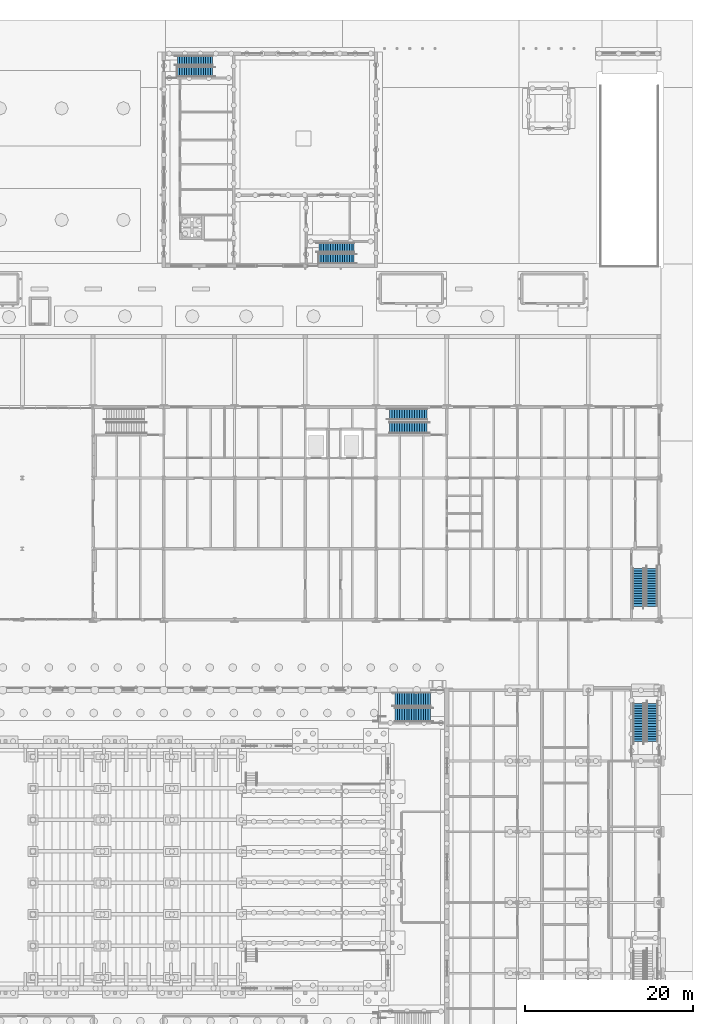
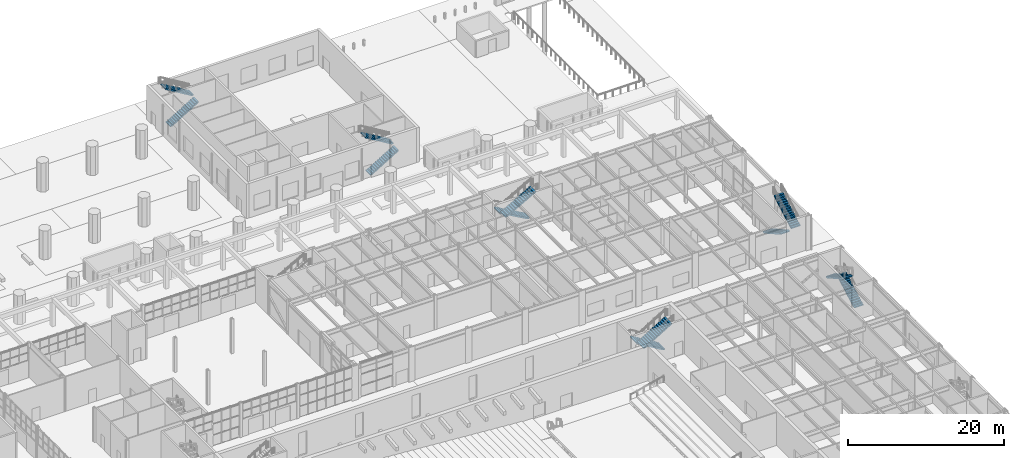
# One storey, part 80 of 127: 12 stair flights, 6 elements without a shape of their own.
"""IFC4 building model written with IfcOpenShell, lengths in metres."""

from ifc_helpers import new_model, si_unit, direction, frame, origin, place, context, subcontext, project, spatial, polyline, outline, extrude, material, type_object, element, aggregate, save


model = new_model("IFC4")

# Units and contexts
model_context = context("Model", 3, precision=1e-05, world=origin(), true_north=direction((0.0, 1.0)))
body_context = subcontext(model_context, "Body", "Model", "MODEL_VIEW")
ifc_project = project(units=[si_unit("LENGTHUNIT", "METRE"), si_unit("AREAUNIT", "SQUARE_METRE"), si_unit("VOLUMEUNIT", "CUBIC_METRE"), si_unit("PLANEANGLEUNIT", "RADIAN"), si_unit("MASSUNIT", "GRAM", prefix="KILO")], contexts=[model_context])

# Site, building, storey
site_placement = place(None, origin())
site = spatial("IfcSite", under=ifc_project, at=site_placement, CompositionType="ELEMENT")
building_placement = place(site_placement, origin())
building = spatial("IfcBuilding", under=site, at=building_placement, Name="Ljudholm Concert House", CompositionType="ELEMENT")
storey_placement = place(building_placement, origin())
storey = spatial("IfcBuildingStorey", under=building, at=storey_placement, Name="L00", CompositionType="ELEMENT", Elevation=0.0)

# Stair, stair flights
ifc_material_1 = material(Name="Concrete 5,000 psi", Category="concrete")
stair_type_1 = type_object("IfcStairType", Name="RC STAIR 1200x169x280", PredefinedType="HALF_TURN_STAIR", material=ifc_material_1)
stair_1_placement = place(storey_placement, origin())
stair_1 = element("IfcStair", 1, at=stair_1_placement, inside=storey, type_object=stair_type_1, Name="Exit stair S1", PredefinedType="HALF_TURN_STAIR")
ifc_material_2 = material(Name="Concrete 5,000 psi", Category="concrete")
stair_flight_type_1 = type_object("IfcStairFlightType", Name="RC STAIR FLIGHT 1200x169x280", PredefinedType="STRAIGHT", material=ifc_material_2)
stair_flight_1_placement = place(storey_placement, frame((64.39990234375, 169.85009765625, 0.0), z_axis=(0.0, 0.0, 1.0), x_axis=(1.0, 0.0, 0.0)))
stair_flight_1 = element("IfcStairFlight", 2, at=stair_flight_1_placement, type_object=stair_flight_type_1, Name="ST-E00-001 flight 1", NumberOfRisers=16, NumberOfTreads=15, PredefinedType="STRAIGHT", RiserHeight=0.16875, TreadLength=0.28, context=body_context, shape_type="SweptSolid", body=[
    extrude(outline(polyline([(0.0, 0.0), (0.0, 0.168701171875), (0.280029296875, 0.168701171875), (0.280029296875, 0.33740234375), (0.56005859375, 0.33740234375), (0.56005859375, 0.50634765625), (0.840087890625, 0.50634765625), (0.840087890625, 0.675048828125), (1.1201171875, 0.675048828125), (1.1201171875, 0.84375), (1.39990234375, 0.84375), (1.39990234375, 1.012451171875), (1.679931640625, 1.012451171875), (1.679931640625, 1.18115234375), (1.9599609375, 1.18115234375), (1.9599609375, 1.35009765625), (2.239990234375, 1.35009765625), (2.239990234375, 1.518798828125), (2.52001953125, 1.518798828125), (2.52001953125, 1.6875), (2.800048828125, 1.6875), (2.800048828125, 1.856201171875), (3.080078125, 1.856201171875), (3.080078125, 2.02490234375), (3.360107421875, 2.02490234375), (3.360107421875, 2.19384765625), (3.639892578125, 2.19384765625), (3.639892578125, 2.362548828125), (3.919921875, 2.362548828125), (3.919921875, 2.53125), (4.199951171875, 2.53125), (4.199951171875, 2.699951171875), (4.199951171875, 2.356201171875), (0.29052734375, 0.0), (0.0, 0.0)])), frame((0.0, 0.60009765625, 0.0), z_axis=(0.0, -1.0, 0.0), x_axis=(1.0, 0.0, 0.0)), (0.0, 0.0, 1.0), 1.199951171875),
])
stair_flight_2_placement = place(storey_placement, frame((68.60009765625, 171.14990234375, 2.699951171875), z_axis=(0.0, 0.0, 1.0), x_axis=(-1.0, 0.0, 0.0)))
stair_flight_2 = element("IfcStairFlight", 3, at=stair_flight_2_placement, type_object=stair_flight_type_1, Name="ST-E00-001 flight 2", NumberOfRisers=16, NumberOfTreads=15, PredefinedType="STRAIGHT", RiserHeight=0.16875, TreadLength=0.28, context=body_context, shape_type="SweptSolid", body=[
    extrude(outline(polyline([(0.0, 0.0), (0.0, 0.168701171875), (0.280029296875, 0.168701171875), (0.280029296875, 0.33740234375), (0.56005859375, 0.33740234375), (0.56005859375, 0.50634765625), (0.840087890625, 0.50634765625), (0.840087890625, 0.675048828125), (1.1201171875, 0.675048828125), (1.1201171875, 0.84375), (1.39990234375, 0.84375), (1.39990234375, 1.012451171875), (1.679931640625, 1.012451171875), (1.679931640625, 1.18115234375), (1.9599609375, 1.18115234375), (1.9599609375, 1.35009765625), (2.239990234375, 1.35009765625), (2.239990234375, 1.518798828125), (2.52001953125, 1.518798828125), (2.52001953125, 1.6875), (2.800048828125, 1.6875), (2.800048828125, 1.856201171875), (3.080078125, 1.856201171875), (3.080078125, 2.02490234375), (3.360107421875, 2.02490234375), (3.360107421875, 2.19384765625), (3.639892578125, 2.19384765625), (3.639892578125, 2.362548828125), (3.919921875, 2.362548828125), (3.919921875, 2.53125), (4.199951171875, 2.53125), (4.199951171875, 2.699951171875), (4.199951171875, 2.356201171875), (0.29052734375, 0.0), (0.0, 0.0)])), frame((0.0, 0.60009765625, 0.0), z_axis=(0.0, -1.0, 0.0), x_axis=(1.0, 0.0, 0.0)), (0.0, 0.0, 1.0), 1.199951171875),
])
aggregate(stair_1, [stair_flight_1, stair_flight_2])

stair_2_placement = place(storey_placement, origin())
stair_2 = element("IfcStair", 4, at=stair_2_placement, inside=storey, type_object=stair_type_1, Name="Exit stair S2", PredefinedType="HALF_TURN_STAIR")
stair_flight_3_placement = place(storey_placement, frame((81.199951171875, 147.64990234375, 0.0), z_axis=(0.0, 0.0, 1.0), x_axis=(1.0, 0.0, 0.0)))
stair_flight_3 = element("IfcStairFlight", 5, at=stair_flight_3_placement, type_object=stair_flight_type_1, Name="ST-E00-002 flight 1", NumberOfRisers=16, NumberOfTreads=15, PredefinedType="STRAIGHT", RiserHeight=0.16875, TreadLength=0.28, context=body_context, shape_type="SweptSolid", body=[
    extrude(outline(polyline([(0.0, 0.0), (0.0, 0.168701171875), (0.280029296875, 0.168701171875), (0.280029296875, 0.33740234375), (0.56005859375, 0.33740234375), (0.56005859375, 0.50634765625), (0.840087890625, 0.50634765625), (0.840087890625, 0.675048828125), (1.1201171875, 0.675048828125), (1.1201171875, 0.84375), (1.39990234375, 0.84375), (1.39990234375, 1.012451171875), (1.679931640625, 1.012451171875), (1.679931640625, 1.18115234375), (1.9599609375, 1.18115234375), (1.9599609375, 1.35009765625), (2.239990234375, 1.35009765625), (2.239990234375, 1.518798828125), (2.52001953125, 1.518798828125), (2.52001953125, 1.6875), (2.800048828125, 1.6875), (2.800048828125, 1.856201171875), (3.080078125, 1.856201171875), (3.080078125, 2.02490234375), (3.360107421875, 2.02490234375), (3.360107421875, 2.19384765625), (3.639892578125, 2.19384765625), (3.639892578125, 2.362548828125), (3.919921875, 2.362548828125), (3.919921875, 2.53125), (4.199951171875, 2.53125), (4.199951171875, 2.699951171875), (4.199951171875, 2.356201171875), (0.29052734375, 0.0), (0.0, 0.0)])), frame((0.0, 0.60009765625, 0.0), z_axis=(0.0, -1.0, 0.0), x_axis=(1.0, 0.0, 0.0)), (0.0, 0.0, 1.0), 1.199951171875),
])
stair_flight_4_placement = place(storey_placement, frame((85.39990234375, 148.949951171875, 2.699951171875), z_axis=(0.0, 0.0, 1.0), x_axis=(-1.0, 0.0, 0.0)))
stair_flight_4 = element("IfcStairFlight", 6, at=stair_flight_4_placement, type_object=stair_flight_type_1, Name="ST-E00-002 flight 2", NumberOfRisers=16, NumberOfTreads=15, PredefinedType="STRAIGHT", RiserHeight=0.16875, TreadLength=0.28, context=body_context, shape_type="SweptSolid", body=[
    extrude(outline(polyline([(0.0, 0.0), (0.0, 0.168701171875), (0.280029296875, 0.168701171875), (0.280029296875, 0.33740234375), (0.56005859375, 0.33740234375), (0.56005859375, 0.50634765625), (0.840087890625, 0.50634765625), (0.840087890625, 0.675048828125), (1.1201171875, 0.675048828125), (1.1201171875, 0.84375), (1.39990234375, 0.84375), (1.39990234375, 1.012451171875), (1.679931640625, 1.012451171875), (1.679931640625, 1.18115234375), (1.9599609375, 1.18115234375), (1.9599609375, 1.35009765625), (2.239990234375, 1.35009765625), (2.239990234375, 1.518798828125), (2.52001953125, 1.518798828125), (2.52001953125, 1.6875), (2.800048828125, 1.6875), (2.800048828125, 1.856201171875), (3.080078125, 1.856201171875), (3.080078125, 2.02490234375), (3.360107421875, 2.02490234375), (3.360107421875, 2.19384765625), (3.639892578125, 2.19384765625), (3.639892578125, 2.362548828125), (3.919921875, 2.362548828125), (3.919921875, 2.53125), (4.199951171875, 2.53125), (4.199951171875, 2.699951171875), (4.199951171875, 2.356201171875), (0.29052734375, 0.0), (0.0, 0.0)])), frame((0.0, 0.60009765625, 0.0), z_axis=(0.0, -1.0, 0.0), x_axis=(1.0, 0.0, 0.0)), (0.0, 0.0, 1.0), 1.199951171875),
])
aggregate(stair_2, [stair_flight_3, stair_flight_4])

ifc_material_3 = material(Name="Concrete 5,000 psi", Category="concrete")
stair_type_2 = type_object("IfcStairType", Name="RC STAIR 1350x169x300", PredefinedType="HALF_TURN_STAIR", material=ifc_material_3)
stair_3_placement = place(storey_placement, origin())
stair_3 = element("IfcStair", 7, at=stair_3_placement, inside=storey, type_object=stair_type_2, Name="Stair SB4", PredefinedType="HALF_TURN_STAIR")
ifc_material_4 = material(Name="Concrete 5,000 psi", Category="concrete")
stair_flight_type_2 = type_object("IfcStairFlightType", Name="RC STAIR FLIGHT 1350x169x300", PredefinedType="STRAIGHT", material=ifc_material_4)
stair_flight_5_placement = place(storey_placement, frame((120.77490234375, 90.324951171875, 0.0), z_axis=(0.0, 0.0, 1.0), x_axis=(0.0, 1.0, 0.0)))
stair_flight_5 = element("IfcStairFlight", 8, at=stair_flight_5_placement, type_object=stair_flight_type_2, Name="ST-W00-004 flight 1", NumberOfRisers=16, NumberOfTreads=15, PredefinedType="STRAIGHT", RiserHeight=0.16875, TreadLength=0.3, context=body_context, shape_type="SweptSolid", body=[
    extrude(outline(polyline([(0.0, 0.0), (0.0, 0.168701171875), (0.300048828125, 0.168701171875), (0.300048828125, 0.33740234375), (0.60009765625, 0.33740234375), (0.60009765625, 0.50634765625), (0.89990234375, 0.50634765625), (0.89990234375, 0.675048828125), (1.199951171875, 0.675048828125), (1.199951171875, 0.84375), (1.5, 0.84375), (1.5, 1.012451171875), (1.800048828125, 1.012451171875), (1.800048828125, 1.18115234375), (2.10009765625, 1.18115234375), (2.10009765625, 1.35009765625), (2.39990234375, 1.35009765625), (2.39990234375, 1.518798828125), (2.699951171875, 1.518798828125), (2.699951171875, 1.6875), (3.0, 1.6875), (3.0, 1.856201171875), (3.300048828125, 1.856201171875), (3.300048828125, 2.02490234375), (3.60009765625, 2.02490234375), (3.60009765625, 2.19384765625), (3.89990234375, 2.19384765625), (3.89990234375, 2.362548828125), (4.199951171875, 2.362548828125), (4.199951171875, 2.53125), (4.5, 2.53125), (4.5, 2.699951171875), (4.5, 2.359375), (0.3056640625, 0.0), (0.0, 0.0)])), frame((0.0, 0.675048828125, 0.0), z_axis=(0.0, -1.0, 0.0), x_axis=(1.0, 0.0, 0.0)), (0.0, 0.0, 1.0), 1.35009765625),
])
stair_flight_6_placement = place(storey_placement, frame((119.175048828125, 94.824951171875, 2.699951171875), z_axis=(0.0, 0.0, 1.0), x_axis=(0.0, -1.0, 0.0)))
stair_flight_6 = element("IfcStairFlight", 9, at=stair_flight_6_placement, type_object=stair_flight_type_2, Name="ST-W00-004 flight 2", NumberOfRisers=16, NumberOfTreads=15, PredefinedType="STRAIGHT", RiserHeight=0.16875, TreadLength=0.3, context=body_context, shape_type="SweptSolid", body=[
    extrude(outline(polyline([(0.0, 0.0), (0.0, 0.168701171875), (0.300048828125, 0.168701171875), (0.300048828125, 0.33740234375), (0.60009765625, 0.33740234375), (0.60009765625, 0.50634765625), (0.89990234375, 0.50634765625), (0.89990234375, 0.675048828125), (1.199951171875, 0.675048828125), (1.199951171875, 0.84375), (1.5, 0.84375), (1.5, 1.012451171875), (1.800048828125, 1.012451171875), (1.800048828125, 1.18115234375), (2.10009765625, 1.18115234375), (2.10009765625, 1.35009765625), (2.39990234375, 1.35009765625), (2.39990234375, 1.518798828125), (2.699951171875, 1.518798828125), (2.699951171875, 1.6875), (3.0, 1.6875), (3.0, 1.856201171875), (3.300048828125, 1.856201171875), (3.300048828125, 2.02490234375), (3.60009765625, 2.02490234375), (3.60009765625, 2.19384765625), (3.89990234375, 2.19384765625), (3.89990234375, 2.362548828125), (4.199951171875, 2.362548828125), (4.199951171875, 2.53125), (4.5, 2.53125), (4.5, 2.699951171875), (4.5, 2.359375), (0.3056640625, 0.0), (0.0, 0.0)])), frame((0.0, 0.675048828125, 0.0), z_axis=(0.0, -1.0, 0.0), x_axis=(1.0, 0.0, 0.0)), (0.0, 0.0, 1.0), 1.35009765625),
])
aggregate(stair_3, [stair_flight_5, stair_flight_6])

stair_4_placement = place(storey_placement, origin())
stair_4 = element("IfcStair", 10, at=stair_4_placement, inside=storey, type_object=stair_type_2, Name="Stair R2", PredefinedType="HALF_TURN_STAIR")
stair_flight_7_placement = place(storey_placement, frame((94.074951171875, 129.175048828125, 0.0), z_axis=(0.0, 0.0, 1.0), x_axis=(-1.0, 0.0, 0.0)))
stair_flight_7 = element("IfcStairFlight", 11, at=stair_flight_7_placement, type_object=stair_flight_type_2, Name="ST-R00-002 flight 1", NumberOfRisers=16, NumberOfTreads=15, PredefinedType="STRAIGHT", RiserHeight=0.16875, TreadLength=0.3, context=body_context, shape_type="SweptSolid", body=[
    extrude(outline(polyline([(0.0, 0.0), (0.0, 0.168701171875), (0.300048828125, 0.168701171875), (0.300048828125, 0.33740234375), (0.60009765625, 0.33740234375), (0.60009765625, 0.50634765625), (0.89990234375, 0.50634765625), (0.89990234375, 0.675048828125), (1.199951171875, 0.675048828125), (1.199951171875, 0.84375), (1.5, 0.84375), (1.5, 1.012451171875), (1.800048828125, 1.012451171875), (1.800048828125, 1.18115234375), (2.10009765625, 1.18115234375), (2.10009765625, 1.35009765625), (2.39990234375, 1.35009765625), (2.39990234375, 1.518798828125), (2.699951171875, 1.518798828125), (2.699951171875, 1.6875), (3.0, 1.6875), (3.0, 1.856201171875), (3.300048828125, 1.856201171875), (3.300048828125, 2.02490234375), (3.60009765625, 2.02490234375), (3.60009765625, 2.19384765625), (3.89990234375, 2.19384765625), (3.89990234375, 2.362548828125), (4.199951171875, 2.362548828125), (4.199951171875, 2.53125), (4.5, 2.53125), (4.5, 2.699951171875), (4.5, 2.359375), (0.3056640625, 0.0), (0.0, 0.0)])), frame((0.0, 0.675048828125, 0.0), z_axis=(0.0, -1.0, 0.0), x_axis=(1.0, 0.0, 0.0)), (0.0, 0.0, 1.0), 1.35009765625),
])
stair_flight_8_placement = place(storey_placement, frame((89.574951171875, 127.574951171875, 2.699951171875), z_axis=(0.0, 0.0, 1.0), x_axis=(1.0, 0.0, 0.0)))
stair_flight_8 = element("IfcStairFlight", 12, at=stair_flight_8_placement, type_object=stair_flight_type_2, Name="ST-R00-002 flight 2", NumberOfRisers=16, NumberOfTreads=15, PredefinedType="STRAIGHT", RiserHeight=0.16875, TreadLength=0.3, context=body_context, shape_type="SweptSolid", body=[
    extrude(outline(polyline([(0.0, 0.0), (0.0, 0.168701171875), (0.300048828125, 0.168701171875), (0.300048828125, 0.33740234375), (0.60009765625, 0.33740234375), (0.60009765625, 0.50634765625), (0.89990234375, 0.50634765625), (0.89990234375, 0.675048828125), (1.199951171875, 0.675048828125), (1.199951171875, 0.84375), (1.5, 0.84375), (1.5, 1.012451171875), (1.800048828125, 1.012451171875), (1.800048828125, 1.18115234375), (2.10009765625, 1.18115234375), (2.10009765625, 1.35009765625), (2.39990234375, 1.35009765625), (2.39990234375, 1.518798828125), (2.699951171875, 1.518798828125), (2.699951171875, 1.6875), (3.0, 1.6875), (3.0, 1.856201171875), (3.300048828125, 1.856201171875), (3.300048828125, 2.02490234375), (3.60009765625, 2.02490234375), (3.60009765625, 2.19384765625), (3.89990234375, 2.19384765625), (3.89990234375, 2.362548828125), (4.199951171875, 2.362548828125), (4.199951171875, 2.53125), (4.5, 2.53125), (4.5, 2.699951171875), (4.5, 2.359375), (0.3056640625, 0.0), (0.0, 0.0)])), frame((0.0, 0.675048828125, 0.0), z_axis=(0.0, -1.0, 0.0), x_axis=(1.0, 0.0, 0.0)), (0.0, 0.0, 1.0), 1.35009765625),
])
aggregate(stair_4, [stair_flight_7, stair_flight_8])

stair_5_placement = place(storey_placement, origin())
stair_5 = element("IfcStair", 13, at=stair_5_placement, inside=storey, type_object=stair_type_2, Name="Stair R3", PredefinedType="HALF_TURN_STAIR")
stair_flight_9_placement = place(storey_placement, frame((119.125, 110.875, 0.0), z_axis=(0.0, 0.0, 1.0), x_axis=(0.0, -1.0, 0.0)))
stair_flight_9 = element("IfcStairFlight", 14, at=stair_flight_9_placement, type_object=stair_flight_type_2, Name="ST-R00-003 flight 1", NumberOfRisers=16, NumberOfTreads=15, PredefinedType="STRAIGHT", RiserHeight=0.16875, TreadLength=0.3, context=body_context, shape_type="SweptSolid", body=[
    extrude(outline(polyline([(0.0, 0.0), (0.0, 0.168701171875), (0.300048828125, 0.168701171875), (0.300048828125, 0.33740234375), (0.60009765625, 0.33740234375), (0.60009765625, 0.50634765625), (0.89990234375, 0.50634765625), (0.89990234375, 0.675048828125), (1.199951171875, 0.675048828125), (1.199951171875, 0.84375), (1.5, 0.84375), (1.5, 1.012451171875), (1.800048828125, 1.012451171875), (1.800048828125, 1.18115234375), (2.10009765625, 1.18115234375), (2.10009765625, 1.35009765625), (2.39990234375, 1.35009765625), (2.39990234375, 1.518798828125), (2.699951171875, 1.518798828125), (2.699951171875, 1.6875), (3.0, 1.6875), (3.0, 1.856201171875), (3.300048828125, 1.856201171875), (3.300048828125, 2.02490234375), (3.60009765625, 2.02490234375), (3.60009765625, 2.19384765625), (3.89990234375, 2.19384765625), (3.89990234375, 2.362548828125), (4.199951171875, 2.362548828125), (4.199951171875, 2.53125), (4.5, 2.53125), (4.5, 2.699951171875), (4.5, 2.359375), (0.3056640625, 0.0), (0.0, 0.0)])), frame((0.0, 0.675048828125, 0.0), z_axis=(0.0, -1.0, 0.0), x_axis=(1.0, 0.0, 0.0)), (0.0, 0.0, 1.0), 1.35009765625),
])
stair_flight_10_placement = place(storey_placement, frame((120.72509765625, 106.375, 2.699951171875), z_axis=(0.0, 0.0, 1.0), x_axis=(0.0, 1.0, 0.0)))
stair_flight_10 = element("IfcStairFlight", 15, at=stair_flight_10_placement, type_object=stair_flight_type_2, Name="ST-R00-003 flight 2", NumberOfRisers=16, NumberOfTreads=15, PredefinedType="STRAIGHT", RiserHeight=0.16875, TreadLength=0.3, context=body_context, shape_type="SweptSolid", body=[
    extrude(outline(polyline([(0.0, 0.0), (0.0, 0.168701171875), (0.300048828125, 0.168701171875), (0.300048828125, 0.33740234375), (0.60009765625, 0.33740234375), (0.60009765625, 0.50634765625), (0.89990234375, 0.50634765625), (0.89990234375, 0.675048828125), (1.199951171875, 0.675048828125), (1.199951171875, 0.84375), (1.5, 0.84375), (1.5, 1.012451171875), (1.800048828125, 1.012451171875), (1.800048828125, 1.18115234375), (2.10009765625, 1.18115234375), (2.10009765625, 1.35009765625), (2.39990234375, 1.35009765625), (2.39990234375, 1.518798828125), (2.699951171875, 1.518798828125), (2.699951171875, 1.6875), (3.0, 1.6875), (3.0, 1.856201171875), (3.300048828125, 1.856201171875), (3.300048828125, 2.02490234375), (3.60009765625, 2.02490234375), (3.60009765625, 2.19384765625), (3.89990234375, 2.19384765625), (3.89990234375, 2.362548828125), (4.199951171875, 2.362548828125), (4.199951171875, 2.53125), (4.5, 2.53125), (4.5, 2.699951171875), (4.5, 2.359375), (0.3056640625, 0.0), (0.0, 0.0)])), frame((0.0, 0.675048828125, 0.0), z_axis=(0.0, -1.0, 0.0), x_axis=(1.0, 0.0, 0.0)), (0.0, 0.0, 1.0), 1.35009765625),
])
aggregate(stair_5, [stair_flight_9, stair_flight_10])

ifc_material_5 = material(Name="Concrete 5,000 psi", Category="concrete")
stair_type_3 = type_object("IfcStairType", Name="RC STAIR 1700x169x280", PredefinedType="HALF_TURN_STAIR", material=ifc_material_5)
stair_6_placement = place(storey_placement, origin())
stair_6 = element("IfcStair", 16, at=stair_6_placement, inside=storey, type_object=stair_type_3, Name="Exit stair EH4", PredefinedType="HALF_TURN_STAIR")
ifc_material_6 = material(Name="Concrete 5,000 psi", Category="concrete")
stair_flight_type_3 = type_object("IfcStairFlightType", Name="RC STAIR FLIGHT 1700x169x280", PredefinedType="STRAIGHT", material=ifc_material_6)
stair_flight_11_placement = place(storey_placement, frame((94.449951171875, 95.300048828125, 0.0), z_axis=(0.0, 0.0, 1.0), x_axis=(-1.0, 0.0, 0.0)))
stair_flight_11 = element("IfcStairFlight", 17, at=stair_flight_11_placement, type_object=stair_flight_type_3, Name="ST-H00-004 flight 1", NumberOfRisers=16, NumberOfTreads=15, PredefinedType="STRAIGHT", RiserHeight=0.16875, TreadLength=0.28, context=body_context, shape_type="SweptSolid", body=[
    extrude(outline(polyline([(0.0, 0.0), (0.0, 0.168701171875), (0.280029296875, 0.168701171875), (0.280029296875, 0.33740234375), (0.56005859375, 0.33740234375), (0.56005859375, 0.50634765625), (0.840087890625, 0.50634765625), (0.840087890625, 0.675048828125), (1.1201171875, 0.675048828125), (1.1201171875, 0.84375), (1.39990234375, 0.84375), (1.39990234375, 1.012451171875), (1.679931640625, 1.012451171875), (1.679931640625, 1.18115234375), (1.9599609375, 1.18115234375), (1.9599609375, 1.35009765625), (2.239990234375, 1.35009765625), (2.239990234375, 1.518798828125), (2.52001953125, 1.518798828125), (2.52001953125, 1.6875), (2.800048828125, 1.6875), (2.800048828125, 1.856201171875), (3.080078125, 1.856201171875), (3.080078125, 2.02490234375), (3.360107421875, 2.02490234375), (3.360107421875, 2.19384765625), (3.639892578125, 2.19384765625), (3.639892578125, 2.362548828125), (3.919921875, 2.362548828125), (3.919921875, 2.53125), (4.199951171875, 2.53125), (4.199951171875, 2.699951171875), (4.199951171875, 2.356201171875), (0.29052734375, 0.0), (0.0, 0.0)])), frame((0.0, 0.85009765625, 0.0), z_axis=(0.0, -1.0, 0.0), x_axis=(1.0, 0.0, 0.0)), (0.0, 0.0, 1.0), 1.699951171875),
])
stair_flight_12_placement = place(storey_placement, frame((90.25, 93.5, 2.699951171875), z_axis=(0.0, 0.0, 1.0), x_axis=(1.0, 0.0, 0.0)))
stair_flight_12 = element("IfcStairFlight", 18, at=stair_flight_12_placement, type_object=stair_flight_type_3, Name="ST-H00-004 flight 2", NumberOfRisers=16, NumberOfTreads=15, PredefinedType="STRAIGHT", RiserHeight=0.16875, TreadLength=0.28, context=body_context, shape_type="SweptSolid", body=[
    extrude(outline(polyline([(0.0, 0.0), (0.0, 0.168701171875), (0.280029296875, 0.168701171875), (0.280029296875, 0.33740234375), (0.56005859375, 0.33740234375), (0.56005859375, 0.50634765625), (0.840087890625, 0.50634765625), (0.840087890625, 0.675048828125), (1.1201171875, 0.675048828125), (1.1201171875, 0.84375), (1.39990234375, 0.84375), (1.39990234375, 1.012451171875), (1.679931640625, 1.012451171875), (1.679931640625, 1.18115234375), (1.9599609375, 1.18115234375), (1.9599609375, 1.35009765625), (2.239990234375, 1.35009765625), (2.239990234375, 1.518798828125), (2.52001953125, 1.518798828125), (2.52001953125, 1.6875), (2.800048828125, 1.6875), (2.800048828125, 1.856201171875), (3.080078125, 1.856201171875), (3.080078125, 2.02490234375), (3.360107421875, 2.02490234375), (3.360107421875, 2.19384765625), (3.639892578125, 2.19384765625), (3.639892578125, 2.362548828125), (3.919921875, 2.362548828125), (3.919921875, 2.53125), (4.199951171875, 2.53125), (4.199951171875, 2.699951171875), (4.199951171875, 2.356201171875), (0.29052734375, 0.0), (0.0, 0.0)])), frame((0.0, 0.85009765625, 0.0), z_axis=(0.0, -1.0, 0.0), x_axis=(1.0, 0.0, 0.0)), (0.0, 0.0, 1.0), 1.699951171875),
])
aggregate(stair_6, [stair_flight_11, stair_flight_12])

save(model, "model.ifc")
